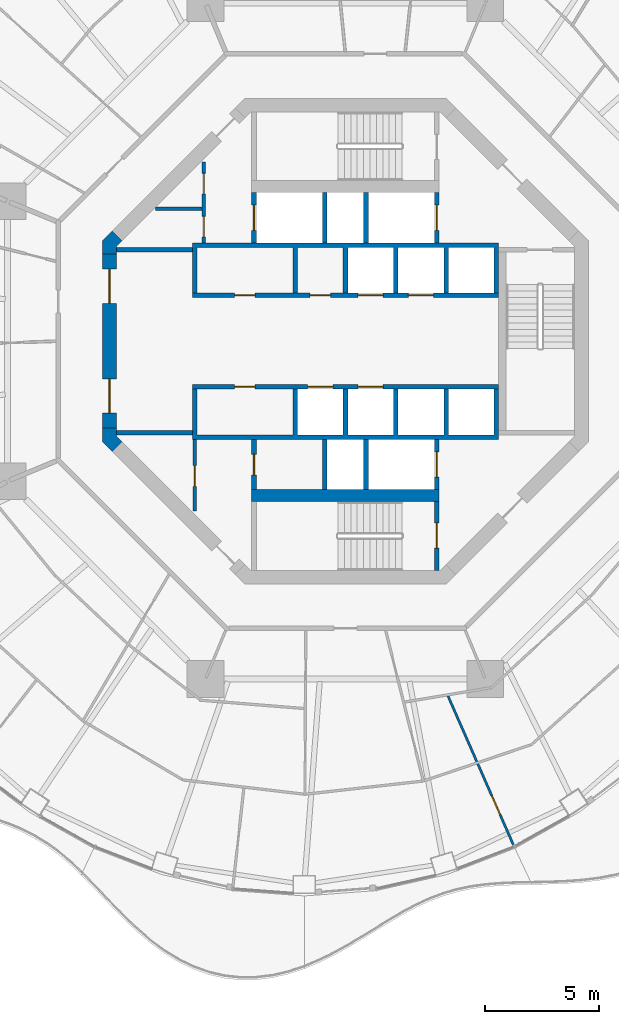
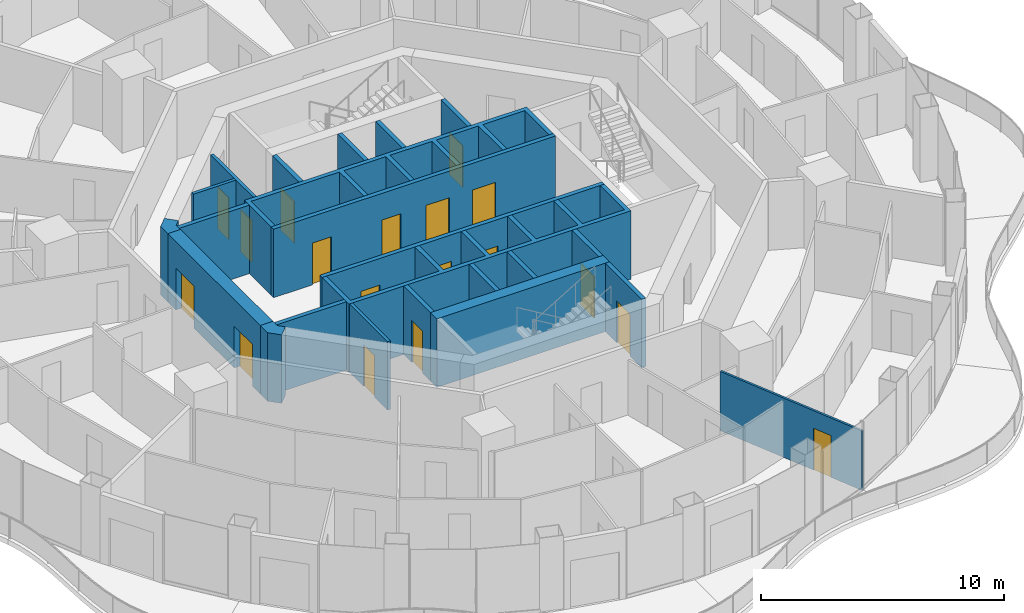
# One storey, part 11 of 18: 23 walls, 18 doors, 18 openings.
"""IFC4 building model written with IfcOpenShell, lengths in metres."""

from ifc_helpers import new_model, si_unit, direction, frame, frame_2d, origin, place, context, subcontext, project, spatial, polyline, rectangle, outline, extrude, material, layer, layer_set, type_object, element, fill, save


model = new_model("IFC4")

# Units and contexts
model_context = context("Model", 3, precision=1e-05, world=origin(), true_north=direction((0.0, 1.0)))
body_context = subcontext(model_context, "Body", "Model", "MODEL_VIEW")
ifc_project = project(units=[si_unit("LENGTHUNIT", "METRE"), si_unit("AREAUNIT", "SQUARE_METRE"), si_unit("VOLUMEUNIT", "CUBIC_METRE"), si_unit("PLANEANGLEUNIT", "RADIAN"), si_unit("MASSUNIT", "GRAM", prefix="KILO")], contexts=[model_context])

# Site, building, storey
site_placement = place(None, origin())
site = spatial("IfcSite", under=ifc_project, at=site_placement, CompositionType="ELEMENT")
building_placement = place(site_placement, origin())
building = spatial("IfcBuilding", under=site, at=building_placement, Name="Nagisa Residences", CompositionType="ELEMENT")
storey_placement = place(building_placement, frame((0.0, 0.0, 227.0)))
storey = spatial("IfcBuildingStorey", under=building, at=storey_placement, Name="L57", CompositionType="ELEMENT", Elevation=227.0)

# Wall, opening, door
ifc_material_1 = material(Name="Gypsum board on steel studs", Category="steel")
ifc_layer_1 = layer(ifc_material_1, 0.10009765625)
ifc_layer_set_1 = layer_set([ifc_layer_1], Name="Apartment partition 100")
wall_type_1 = type_object("IfcWallType", Name="Apartment partition 100", PredefinedType="PARTITIONING", material=ifc_layer_set_1)
wall_1_placement = place(storey_placement, frame((4.4853515625, -15.5224609375, 0.0), z_axis=(0.0, 0.0, 1.0), x_axis=(0.401959715825, -0.915657352318, 0.0)))
wall_1 = element("IfcWall", 1, at=wall_1_placement, inside=storey, type_object=wall_type_1, Name="wall:L57:u79", PredefinedType="PARTITIONING", context=body_context, shape_type="SweptSolid", body=[
    extrude(rectangle(XDim=7.23876953125, YDim=0.10009765625, at=frame_2d((3.619384765625, 0.0))), origin(), (0.0, 0.0, 1.0), 2.98291015625),
])
opening_1_placement = place(wall_1_placement, frame((4.76708984375, 0.0, 0.0)))
opening_1 = element("IfcOpeningElement", 2, at=opening_1_placement, cuts=wall_1, Name="Opening L57-U22", PredefinedType="OPENING", context=body_context, shape_type="SweptSolid", body=[
    extrude(rectangle(XDim=0.89990234375, YDim=2.10009765625, at=frame_2d((0.449951171875, 1.050048828125))), frame((0.0, 0.06005859375, 0.0), z_axis=(0.0, -1.0, 0.0), x_axis=(1.0, 0.0, 0.0)), (0.0, 0.0, 1.0), 0.1201171875),
])
ifc_material_2 = material(Name="Timber door set", Category="wood")
door_type_1 = type_object("IfcDoorType", Name="Apartment door 900x2100", OperationType="NOTDEFINED", PredefinedType="DOOR", material=ifc_material_2)
door_1_placement = place(opening_1_placement, origin())
door_1 = element("IfcDoor", 3, at=door_1_placement, inside=storey, type_object=door_type_1, Name="Door to bedroom, Apartment 57C", OperationType="SINGLE_SWING_RIGHT", OverallHeight=2.10009765625, OverallWidth=0.89990234375, PredefinedType="DOOR", context=body_context, shape_type="SweptSolid", body=[
    extrude(rectangle(XDim=0.89990234375, YDim=2.10009765625, at=frame_2d((0.449951171875, 1.050048828125))), frame((0.0, 0.02490234375, 0.0), z_axis=(0.0, -1.0, 0.0), x_axis=(1.0, 0.0, 0.0)), (0.0, 0.0, 1.0), 0.050048828125),
])
fill(opening_1, door_1)

# Wall, openings, doors
ifc_material_3 = material(Name="Gypsum board on steel studs", Category="steel")
ifc_layer_2 = layer(ifc_material_3, 0.14990234375)
ifc_layer_set_2 = layer_set([ifc_layer_2], Name="Core partition 150")
wall_type_2 = type_object("IfcWallType", Name="Core partition 150", PredefinedType="PARTITIONING", material=ifc_layer_set_2)
wall_2_placement = place(storey_placement, frame((-6.199951171875, 4.300048828125, 0.0), z_axis=(0.0, 0.0, 1.0), x_axis=(0.0, 1.0, 0.0)))
wall_2 = element("IfcWall", 4, at=wall_2_placement, inside=storey, type_object=wall_type_2, Name="wall:L57:NWp", PredefinedType="PARTITIONING", context=body_context, shape_type="SweptSolid", body=[
    extrude(rectangle(XDim=3.52685546875, YDim=0.14990234375, at=frame_2d((1.763427734375, 0.0))), origin(), (0.0, 0.0, 1.0), 3.43994140625),
])
opening_2_placement = place(wall_2_placement, frame((0.262451171875, 0.0, 0.0)))
opening_2 = element("IfcOpeningElement", 5, at=opening_2_placement, cuts=wall_2, Name="Opening L57-C11", PredefinedType="OPENING", context=body_context, shape_type="SweptSolid", body=[
    extrude(rectangle(XDim=0.89990234375, YDim=2.10009765625, at=frame_2d((0.449951171875, 1.050048828125))), frame((0.0, 0.0849609375, 0.0), z_axis=(0.0, -1.0, 0.0), x_axis=(1.0, 0.0, 0.0)), (0.0, 0.0, 1.0), 0.169921875),
])
opening_3_placement = place(wall_2_placement, frame((2.138427734375, 0.0, 0.0)))
opening_3 = element("IfcOpeningElement", 6, at=opening_3_placement, cuts=wall_2, Name="Opening L57-C12", PredefinedType="OPENING", context=body_context, shape_type="SweptSolid", body=[
    extrude(rectangle(XDim=0.89990234375, YDim=2.10009765625, at=frame_2d((0.449951171875, 1.050048828125))), frame((0.0, 0.0849609375, 0.0), z_axis=(0.0, -1.0, 0.0), x_axis=(1.0, 0.0, 0.0)), (0.0, 0.0, 1.0), 0.169921875),
])
ifc_material_4 = material(Name="Steel fire door", Category="steel")
door_type_2 = type_object("IfcDoorType", Name="Fire door EI30 900x2100 single swing", OperationType="NOTDEFINED", PredefinedType="DOOR", material=ifc_material_4)
door_2_placement = place(opening_2_placement, origin())
door_2 = element("IfcDoor", 7, at=door_2_placement, inside=storey, type_object=door_type_2, Name="Package room door L57", OperationType="SINGLE_SWING_LEFT", OverallHeight=2.10009765625, OverallWidth=0.89990234375, PredefinedType="DOOR", context=body_context, shape_type="SweptSolid", body=[
    extrude(rectangle(XDim=0.89990234375, YDim=2.10009765625, at=frame_2d((0.449951171875, 1.050048828125))), frame((0.0, 0.02490234375, 0.0), z_axis=(0.0, -1.0, 0.0), x_axis=(1.0, 0.0, 0.0)), (0.0, 0.0, 1.0), 0.050048828125),
])
fill(opening_2, door_2)
door_3_placement = place(opening_3_placement, origin())
door_3 = element("IfcDoor", 8, at=door_3_placement, inside=storey, type_object=door_type_2, Name="Valet store door L57", OperationType="SINGLE_SWING_LEFT", OverallHeight=2.10009765625, OverallWidth=0.89990234375, PredefinedType="DOOR", context=body_context, shape_type="SweptSolid", body=[
    extrude(rectangle(XDim=0.89990234375, YDim=2.10009765625, at=frame_2d((0.449951171875, 1.050048828125))), frame((0.0, 0.02490234375, 0.0), z_axis=(0.0, -1.0, 0.0), x_axis=(1.0, 0.0, 0.0)), (0.0, 0.0, 1.0), 0.050048828125),
])
fill(opening_3, door_3)

# Wall, opening, door
wall_3_placement = place(storey_placement, frame((-6.60009765625, -7.427001953125, 0.0), z_axis=(0.0, 0.0, 1.0), x_axis=(0.0, 1.0, 0.0)))
wall_3 = element("IfcWall", 9, at=wall_3_placement, inside=storey, type_object=wall_type_2, Name="wall:L57:SWp", PredefinedType="PARTITIONING", context=body_context, shape_type="SweptSolid", body=[
    extrude(rectangle(XDim=3.126953125, YDim=0.14990234375, at=frame_2d((1.5634765625, 0.0))), origin(), (0.0, 0.0, 1.0), 3.43994140625),
])
opening_4_placement = place(wall_3_placement, frame((1.075927734375, 0.0, 0.0)))
opening_4 = element("IfcOpeningElement", 10, at=opening_4_placement, cuts=wall_3, Name="Opening L57-C13", PredefinedType="OPENING", context=body_context, shape_type="SweptSolid", body=[
    extrude(rectangle(XDim=0.89990234375, YDim=2.10009765625, at=frame_2d((0.449951171875, 1.050048828125))), frame((0.0, 0.0849609375, 0.0), z_axis=(0.0, -1.0, 0.0), x_axis=(1.0, 0.0, 0.0)), (0.0, 0.0, 1.0), 0.169921875),
])
door_4_placement = place(opening_4_placement, origin())
door_4 = element("IfcDoor", 11, at=door_4_placement, inside=storey, type_object=door_type_2, Name="Janitor door L57", OperationType="SINGLE_SWING_LEFT", OverallHeight=2.10009765625, OverallWidth=0.89990234375, PredefinedType="DOOR", context=body_context, shape_type="SweptSolid", body=[
    extrude(rectangle(XDim=0.89990234375, YDim=2.10009765625, at=frame_2d((0.449951171875, 1.050048828125))), frame((0.0, 0.02490234375, 0.0), z_axis=(0.0, -1.0, 0.0), x_axis=(1.0, 0.0, 0.0)), (0.0, 0.0, 1.0), 0.050048828125),
])
fill(opening_4, door_4)

# Walls
wall_4_placement = place(storey_placement, frame((-8.301025390625, 5.800048828125, 0.0), z_axis=(0.0, 0.0, 1.0), x_axis=(1.0, 0.0, 0.0)))
element("IfcWall", 12, at=wall_4_placement, inside=storey, type_object=wall_type_2, Name="wall:L57:NWq", PredefinedType="PARTITIONING", context=body_context, shape_type="SweptSolid", body=[
    extrude(rectangle(XDim=2.026123046875, YDim=0.14990234375, at=frame_2d((1.01318359375, 0.0))), origin(), (0.0, 0.0, 1.0), 3.43994140625),
])
ifc_material_5 = material(Name="Gypsum board on steel studs", Category="steel")
ifc_layer_3 = layer(ifc_material_5, 0.199951171875)
ifc_layer_set_3 = layer_set([ifc_layer_3], Name="Core partition 200")
wall_type_3 = type_object("IfcWallType", Name="Core partition 200", PredefinedType="PARTITIONING", material=ifc_layer_set_3)
for number, where, z_axis, x_axis, name in (
    (13, (-10.024658203125, -4.0, 0.0), (0.0, 0.0, 1.0), (1.0, 0.0, 0.0), "wall:L57:PSW"),
    (14, (-10.024658203125, 4.0, 0.0), (0.0, 0.0, 1.0), (1.0, 0.0, 0.0), "wall:L57:PNW"),
):
    element("IfcWall", number, at=place(storey_placement, frame(where, z_axis=z_axis, x_axis=x_axis)), inside=storey, type_object=wall_type_3, Name=name, PredefinedType="PARTITIONING", context=body_context, shape_type="SweptSolid", body=[
        extrude(rectangle(XDim=3.32470703125, YDim=0.199951171875, at=frame_2d((1.662353515625, 0.0))), origin(), (0.0, 0.0, 1.0), 3.43994140625),
    ])

# Wall, openings, doors
ifc_material_6 = material(Name="Concrete C60", Category="concrete")
ifc_layer_4 = layer(ifc_material_6, 0.60009765625)
ifc_layer_set_4 = layer_set([ifc_layer_4], Name="Core shear wall 600")
wall_type_4 = type_object("IfcWallType", Name="Core shear wall 600", PredefinedType="SHEAR", material=ifc_layer_set_4)
wall_5_placement = place(storey_placement, frame((-10.32470703125, 3.80078125, 0.0), z_axis=(0.0, 0.0, 1.0), x_axis=(0.0, -1.0, 0.0)))
wall_5 = element("IfcWall", 15, at=wall_5_placement, inside=storey, type_object=wall_type_4, Name="wall:L57:core:flat4", PredefinedType="SHEAR", context=body_context, shape_type="SweptSolid", body=[
    extrude(rectangle(XDim=7.6015625, YDim=0.60009765625, at=frame_2d((3.80078125, 0.0))), origin(), (0.0, 0.0, 1.0), 3.43994140625),
])
opening_5_placement = place(wall_5_placement, frame((0.65087890625, 0.0, 0.0)))
opening_5 = element("IfcOpeningElement", 16, at=opening_5_placement, cuts=wall_5, Name="Opening L57-C20", PredefinedType="OPENING", context=body_context, shape_type="SweptSolid", body=[
    extrude(rectangle(XDim=1.5, YDim=2.10009765625, at=frame_2d((0.75, 1.050048828125))), frame((0.0, 0.31005859375, 0.0), z_axis=(0.0, -1.0, 0.0), x_axis=(1.0, 0.0, 0.0)), (0.0, 0.0, 1.0), 0.6201171875),
])
opening_6_placement = place(wall_5_placement, frame((5.450927734375, 0.0, 0.0)))
opening_6 = element("IfcOpeningElement", 17, at=opening_6_placement, cuts=wall_5, Name="Opening L57-C21", PredefinedType="OPENING", context=body_context, shape_type="SweptSolid", body=[
    extrude(rectangle(XDim=1.5, YDim=2.10009765625, at=frame_2d((0.75, 1.050048828125))), frame((0.0, 0.31005859375, 0.0), z_axis=(0.0, -1.0, 0.0), x_axis=(1.0, 0.0, 0.0)), (0.0, 0.0, 1.0), 0.6201171875),
])
ifc_material_7 = material(Name="Steel fire door", Category="steel")
door_type_3 = type_object("IfcDoorType", Name="Fire door EI60 1500x2100 double door single swing", OperationType="DOUBLE_DOOR_SINGLE_SWING", PredefinedType="DOOR", material=ifc_material_7)
door_5_placement = place(opening_5_placement, origin())
door_5 = element("IfcDoor", 18, at=door_5_placement, inside=storey, type_object=door_type_3, Name="Lift lobby door L57 1", OperationType="DOUBLE_DOOR_SINGLE_SWING", OverallHeight=2.10009765625, OverallWidth=1.5, PredefinedType="DOOR", context=body_context, shape_type="SweptSolid", body=[
    extrude(rectangle(XDim=1.5, YDim=2.10009765625, at=frame_2d((0.75, 1.050048828125))), frame((0.0, 0.02490234375, 0.0), z_axis=(0.0, -1.0, 0.0), x_axis=(1.0, 0.0, 0.0)), (0.0, 0.0, 1.0), 0.050048828125),
])
fill(opening_5, door_5)
door_6_placement = place(opening_6_placement, origin())
door_6 = element("IfcDoor", 19, at=door_6_placement, inside=storey, type_object=door_type_3, Name="Lift lobby door L57 2", OperationType="DOUBLE_DOOR_SINGLE_SWING", OverallHeight=2.10009765625, OverallWidth=1.5, PredefinedType="DOOR", context=body_context, shape_type="SweptSolid", body=[
    extrude(rectangle(XDim=1.5, YDim=2.10009765625, at=frame_2d((0.75, 1.050048828125))), frame((0.0, 0.02490234375, 0.0), z_axis=(0.0, -1.0, 0.0), x_axis=(1.0, 0.0, 0.0)), (0.0, 0.0, 1.0), 0.050048828125),
])
fill(opening_6, door_6)

# Walls
wall_6_placement = place(storey_placement, origin())
element("IfcWall", 20, at=wall_6_placement, inside=storey, type_object=wall_type_4, Name="wall:L57:core:pier4", PredefinedType="SHEAR", context=body_context, shape_type="SweptSolid", body=[
    extrude(outline(polyline([(-10.62451171875, -3.80078125), (-10.024658203125, -3.80078125), (-10.024658203125, -4.15234375), (-9.776123046875, -4.40087890625), (-10.200439453125, -4.8251953125), (-10.62451171875, -4.40087890625), (-10.62451171875, -3.80078125)])), origin(), (0.0, 0.0, 1.0), 3.43994140625),
])
wall_7_placement = place(storey_placement, origin())
element("IfcWall", 21, at=wall_7_placement, inside=storey, type_object=wall_type_4, Name="wall:L57:core:pier3", PredefinedType="SHEAR", context=body_context, shape_type="SweptSolid", body=[
    extrude(outline(polyline([(-10.200439453125, 4.8251953125), (-9.776123046875, 4.40087890625), (-10.024658203125, 4.15234375), (-10.024658203125, 3.80078125), (-10.62451171875, 3.80078125), (-10.62451171875, 4.40087890625), (-10.200439453125, 4.8251953125)])), origin(), (0.0, 0.0, 1.0), 3.43994140625),
])

# Wall, opening, door
ifc_material_8 = material(Name="Concrete C60", Category="concrete")
ifc_layer_5 = layer(ifc_material_8, 0.199951171875)
ifc_layer_set_5 = layer_set([ifc_layer_5], Name="Lift shaft wall 200")
wall_type_5 = type_object("IfcWallType", Name="Lift shaft wall 200", PredefinedType="SOLIDWALL", material=ifc_layer_set_5)
wall_8_placement = place(storey_placement, frame((4.0, 4.300048828125, 0.0), z_axis=(0.0, 0.0, 1.0), x_axis=(0.0, 1.0, 0.0)))
wall_8 = element("IfcWall", 22, at=wall_8_placement, inside=storey, type_object=wall_type_5, Name="wall:L57:Nb3", PredefinedType="SOLIDWALL", context=body_context, shape_type="SweptSolid", body=[
    extrude(rectangle(XDim=2.199951171875, YDim=0.199951171875, at=frame_2d((1.10009765625, 0.0))), origin(), (0.0, 0.0, 1.0), 3.43994140625),
])
opening_7_placement = place(wall_8_placement, frame((0.550048828125, 0.0, 0.0)))
opening_7 = element("IfcOpeningElement", 23, at=opening_7_placement, cuts=wall_8, Name="Opening L57-C05", PredefinedType="OPENING", context=body_context, shape_type="SweptSolid", body=[
    extrude(rectangle(XDim=1.10009765625, YDim=2.10009765625, at=frame_2d((0.550048828125, 1.050048828125))), frame((0.0, 0.10986328125, 0.0), z_axis=(0.0, -1.0, 0.0), x_axis=(1.0, 0.0, 0.0)), (0.0, 0.0, 1.0), 0.219970703125),
])
ifc_material_9 = material(Name="Stainless steel", Category="steel")
door_type_4 = type_object("IfcDoorType", Name="Lift landing door 1100x2100", OperationType="DOUBLE_DOOR_SLIDING", PredefinedType="DOOR", material=ifc_material_9)
door_7_placement = place(opening_7_placement, origin())
door_7 = element("IfcDoor", 24, at=door_7_placement, inside=storey, type_object=door_type_4, Name="Landing door FL1 L57", OperationType="DOUBLE_DOOR_SLIDING", OverallHeight=2.10009765625, OverallWidth=1.10009765625, PredefinedType="DOOR", context=body_context, shape_type="SweptSolid", body=[
    extrude(rectangle(XDim=1.10009765625, YDim=2.10009765625, at=frame_2d((0.550048828125, 1.050048828125))), frame((0.0, 0.02490234375, 0.0), z_axis=(0.0, -1.0, 0.0), x_axis=(1.0, 0.0, 0.0)), (0.0, 0.0, 1.0), 0.050048828125),
])
fill(opening_7, door_7)

wall_9_placement = place(storey_placement, frame((-4.0, 4.300048828125, 0.0), z_axis=(0.0, 0.0, 1.0), x_axis=(0.0, 1.0, 0.0)))
wall_9 = element("IfcWall", 25, at=wall_9_placement, inside=storey, type_object=wall_type_5, Name="wall:L57:Nb4", PredefinedType="SOLIDWALL", context=body_context, shape_type="SweptSolid", body=[
    extrude(rectangle(XDim=2.199951171875, YDim=0.199951171875, at=frame_2d((1.10009765625, 0.0))), origin(), (0.0, 0.0, 1.0), 3.43994140625),
])
opening_8_placement = place(wall_9_placement, frame((0.550048828125, 0.0, 0.0)))
opening_8 = element("IfcOpeningElement", 26, at=opening_8_placement, cuts=wall_9, Name="Opening L57-C07", PredefinedType="OPENING", context=body_context, shape_type="SweptSolid", body=[
    extrude(rectangle(XDim=1.10009765625, YDim=2.10009765625, at=frame_2d((0.550048828125, 1.050048828125))), frame((0.0, 0.10986328125, 0.0), z_axis=(0.0, -1.0, 0.0), x_axis=(1.0, 0.0, 0.0)), (0.0, 0.0, 1.0), 0.219970703125),
])
door_8_placement = place(opening_8_placement, origin())
door_8 = element("IfcDoor", 27, at=door_8_placement, inside=storey, type_object=door_type_4, Name="Landing door SV L57", OperationType="DOUBLE_DOOR_SLIDING", OverallHeight=2.10009765625, OverallWidth=1.10009765625, PredefinedType="DOOR", context=body_context, shape_type="SweptSolid", body=[
    extrude(rectangle(XDim=1.10009765625, YDim=2.10009765625, at=frame_2d((0.550048828125, 1.050048828125))), frame((0.0, 0.02490234375, 0.0), z_axis=(0.0, -1.0, 0.0), x_axis=(1.0, 0.0, 0.0)), (0.0, 0.0, 1.0), 0.050048828125),
])
fill(opening_8, door_8)

# Wall, openings, doors
wall_10_placement = place(storey_placement, frame((-6.699951171875, 2.0, 0.0), z_axis=(0.0, 0.0, 1.0), x_axis=(1.0, 0.0, 0.0)))
wall_10 = element("IfcWall", 28, at=wall_10_placement, inside=storey, type_object=wall_type_5, Name="wall:L57:Nfront", PredefinedType="SOLIDWALL", context=body_context, shape_type="SweptSolid", body=[
    extrude(rectangle(XDim=13.39990234375, YDim=0.199951171875, at=frame_2d((6.699951171875, 0.0))), origin(), (0.0, 0.0, 1.0), 3.43994140625),
])
opening_9_placement = place(wall_10_placement, frame((7.25, 0.0, 0.0)))
opening_9 = element("IfcOpeningElement", 29, at=opening_9_placement, cuts=wall_10, Name="Opening L57-C01", PredefinedType="OPENING", context=body_context, shape_type="SweptSolid", body=[
    extrude(rectangle(XDim=1.10009765625, YDim=2.10009765625, at=frame_2d((0.550048828125, 1.050048828125))), frame((0.0, 0.10986328125, 0.0), z_axis=(0.0, -1.0, 0.0), x_axis=(1.0, 0.0, 0.0)), (0.0, 0.0, 1.0), 0.219970703125),
])
opening_10_placement = place(wall_10_placement, frame((9.449951171875, 0.0, 0.0)))
opening_10 = element("IfcOpeningElement", 30, at=opening_10_placement, cuts=wall_10, Name="Opening L57-C02", PredefinedType="OPENING", context=body_context, shape_type="SweptSolid", body=[
    extrude(rectangle(XDim=1.10009765625, YDim=2.10009765625, at=frame_2d((0.550048828125, 1.050048828125))), frame((0.0, 0.10986328125, 0.0), z_axis=(0.0, -1.0, 0.0), x_axis=(1.0, 0.0, 0.0)), (0.0, 0.0, 1.0), 0.219970703125),
])
opening_11_placement = place(wall_10_placement, frame((1.85009765625, 0.0, 0.0)))
opening_11 = element("IfcOpeningElement", 31, at=opening_11_placement, cuts=wall_10, Name="Opening L57-C15", PredefinedType="OPENING", context=body_context, shape_type="SweptSolid", body=[
    extrude(rectangle(XDim=0.89990234375, YDim=2.10009765625, at=frame_2d((0.449951171875, 1.050048828125))), frame((0.0, 0.10986328125, 0.0), z_axis=(0.0, -1.0, 0.0), x_axis=(1.0, 0.0, 0.0)), (0.0, 0.0, 1.0), 0.219970703125),
])
opening_12_placement = place(wall_10_placement, frame((5.14990234375, 0.0, 0.0)))
opening_12 = element("IfcOpeningElement", 32, at=opening_12_placement, cuts=wall_10, Name="Opening L57-C16", PredefinedType="OPENING", context=body_context, shape_type="SweptSolid", body=[
    extrude(rectangle(XDim=0.89990234375, YDim=2.10009765625, at=frame_2d((0.449951171875, 1.050048828125))), frame((0.0, 0.10986328125, 0.0), z_axis=(0.0, -1.0, 0.0), x_axis=(1.0, 0.0, 0.0)), (0.0, 0.0, 1.0), 0.219970703125),
])
door_9_placement = place(opening_11_placement, origin())
door_9 = element("IfcDoor", 33, at=door_9_placement, inside=storey, type_object=door_type_2, Name="Tea preparation door L57", OperationType="SINGLE_SWING_RIGHT", OverallHeight=2.10009765625, OverallWidth=0.89990234375, PredefinedType="DOOR", context=body_context, shape_type="SweptSolid", body=[
    extrude(rectangle(XDim=0.89990234375, YDim=2.10009765625, at=frame_2d((0.449951171875, 1.050048828125))), frame((0.0, 0.02490234375, 0.0), z_axis=(0.0, -1.0, 0.0), x_axis=(1.0, 0.0, 0.0)), (0.0, 0.0, 1.0), 0.050048828125),
])
fill(opening_11, door_9)
door_10_placement = place(opening_12_placement, origin())
door_10 = element("IfcDoor", 34, at=door_10_placement, inside=storey, type_object=door_type_2, Name="Housekeeping store door L57", OperationType="SINGLE_SWING_RIGHT", OverallHeight=2.10009765625, OverallWidth=0.89990234375, PredefinedType="DOOR", context=body_context, shape_type="SweptSolid", body=[
    extrude(rectangle(XDim=0.89990234375, YDim=2.10009765625, at=frame_2d((0.449951171875, 1.050048828125))), frame((0.0, 0.02490234375, 0.0), z_axis=(0.0, -1.0, 0.0), x_axis=(1.0, 0.0, 0.0)), (0.0, 0.0, 1.0), 0.050048828125),
])
fill(opening_12, door_10)
door_11_placement = place(opening_9_placement, origin())
door_11 = element("IfcDoor", 35, at=door_11_placement, inside=storey, type_object=door_type_4, Name="Landing door B1 L57", OperationType="DOUBLE_DOOR_SLIDING", OverallHeight=2.10009765625, OverallWidth=1.10009765625, PredefinedType="DOOR", context=body_context, shape_type="SweptSolid", body=[
    extrude(rectangle(XDim=1.10009765625, YDim=2.10009765625, at=frame_2d((0.550048828125, 1.050048828125))), frame((0.0, 0.02490234375, 0.0), z_axis=(0.0, -1.0, 0.0), x_axis=(1.0, 0.0, 0.0)), (0.0, 0.0, 1.0), 0.050048828125),
])
fill(opening_9, door_11)
door_12_placement = place(opening_10_placement, origin())
door_12 = element("IfcDoor", 36, at=door_12_placement, inside=storey, type_object=door_type_4, Name="Landing door B2 L57", OperationType="DOUBLE_DOOR_SLIDING", OverallHeight=2.10009765625, OverallWidth=1.10009765625, PredefinedType="DOOR", context=body_context, shape_type="SweptSolid", body=[
    extrude(rectangle(XDim=1.10009765625, YDim=2.10009765625, at=frame_2d((0.550048828125, 1.050048828125))), frame((0.0, 0.02490234375, 0.0), z_axis=(0.0, -1.0, 0.0), x_axis=(1.0, 0.0, 0.0)), (0.0, 0.0, 1.0), 0.050048828125),
])
fill(opening_10, door_12)

# Wall, opening, door
wall_11_placement = place(storey_placement, frame((4.0, -6.5, 0.0), z_axis=(0.0, 0.0, 1.0), x_axis=(0.0, 1.0, 0.0)))
wall_11 = element("IfcWall", 37, at=wall_11_placement, inside=storey, type_object=wall_type_5, Name="wall:L57:Sb3", PredefinedType="SOLIDWALL", context=body_context, shape_type="SweptSolid", body=[
    extrude(rectangle(XDim=2.199951171875, YDim=0.199951171875, at=frame_2d((1.10009765625, 0.0))), origin(), (0.0, 0.0, 1.0), 3.43994140625),
])
opening_13_placement = place(wall_11_placement, frame((0.550048828125, 0.0, 0.0)))
opening_13 = element("IfcOpeningElement", 38, at=opening_13_placement, cuts=wall_11, Name="Opening L57-C06", PredefinedType="OPENING", context=body_context, shape_type="SweptSolid", body=[
    extrude(rectangle(XDim=1.10009765625, YDim=2.10009765625, at=frame_2d((0.550048828125, 1.050048828125))), frame((0.0, 0.10986328125, 0.0), z_axis=(0.0, -1.0, 0.0), x_axis=(1.0, 0.0, 0.0)), (0.0, 0.0, 1.0), 0.219970703125),
])
door_13_placement = place(opening_13_placement, origin())
door_13 = element("IfcDoor", 39, at=door_13_placement, inside=storey, type_object=door_type_4, Name="Landing door FL2 L57", OperationType="DOUBLE_DOOR_SLIDING", OverallHeight=2.10009765625, OverallWidth=1.10009765625, PredefinedType="DOOR", context=body_context, shape_type="SweptSolid", body=[
    extrude(rectangle(XDim=1.10009765625, YDim=2.10009765625, at=frame_2d((0.550048828125, 1.050048828125))), frame((0.0, 0.02490234375, 0.0), z_axis=(0.0, -1.0, 0.0), x_axis=(1.0, 0.0, 0.0)), (0.0, 0.0, 1.0), 0.050048828125),
])
fill(opening_13, door_13)

wall_12_placement = place(storey_placement, frame((-4.0, -6.5, 0.0), z_axis=(0.0, 0.0, 1.0), x_axis=(0.0, 1.0, 0.0)))
wall_12 = element("IfcWall", 40, at=wall_12_placement, inside=storey, type_object=wall_type_5, Name="wall:L57:Sb4", PredefinedType="SOLIDWALL", context=body_context, shape_type="SweptSolid", body=[
    extrude(rectangle(XDim=2.199951171875, YDim=0.199951171875, at=frame_2d((1.10009765625, 0.0))), origin(), (0.0, 0.0, 1.0), 3.43994140625),
])
opening_14_placement = place(wall_12_placement, frame((0.64990234375, 0.0, 0.0)))
opening_14 = element("IfcOpeningElement", 41, at=opening_14_placement, cuts=wall_12, Name="Opening L57-C14", PredefinedType="OPENING", context=body_context, shape_type="SweptSolid", body=[
    extrude(rectangle(XDim=0.89990234375, YDim=2.10009765625, at=frame_2d((0.449951171875, 1.050048828125))), frame((0.0, 0.10986328125, 0.0), z_axis=(0.0, -1.0, 0.0), x_axis=(1.0, 0.0, 0.0)), (0.0, 0.0, 1.0), 0.219970703125),
])
door_14_placement = place(opening_14_placement, frame((0.89990234375, 0.0, 0.0), x_axis=(-1.0, 0.0, 0.0)))
door_14 = element("IfcDoor", 42, at=door_14_placement, inside=storey, type_object=door_type_2, Name="Refuse room door L57", OperationType="SINGLE_SWING_LEFT", OverallHeight=2.10009765625, OverallWidth=0.89990234375, PredefinedType="DOOR", context=body_context, shape_type="SweptSolid", body=[
    extrude(rectangle(XDim=0.89990234375, YDim=2.10009765625, at=frame_2d((0.449951171875, 1.050048828125))), frame((0.0, 0.02490234375, 0.0), z_axis=(0.0, -1.0, 0.0), x_axis=(1.0, 0.0, 0.0)), (0.0, 0.0, 1.0), 0.050048828125),
])
fill(opening_14, door_14)

# Wall, openings, doors
wall_13_placement = place(storey_placement, frame((-6.699951171875, -2.0, 0.0), z_axis=(0.0, 0.0, 1.0), x_axis=(1.0, 0.0, 0.0)))
wall_13 = element("IfcWall", 43, at=wall_13_placement, inside=storey, type_object=wall_type_5, Name="wall:L57:Sfront", PredefinedType="SOLIDWALL", context=body_context, shape_type="SweptSolid", body=[
    extrude(rectangle(XDim=13.39990234375, YDim=0.199951171875, at=frame_2d((6.699951171875, 0.0))), origin(), (0.0, 0.0, 1.0), 3.43994140625),
])
opening_15_placement = place(wall_13_placement, frame((5.050048828125, 0.0, 0.0)))
opening_15 = element("IfcOpeningElement", 44, at=opening_15_placement, cuts=wall_13, Name="Opening L57-C03", PredefinedType="OPENING", context=body_context, shape_type="SweptSolid", body=[
    extrude(rectangle(XDim=1.10009765625, YDim=2.10009765625, at=frame_2d((0.550048828125, 1.050048828125))), frame((0.0, 0.10986328125, 0.0), z_axis=(0.0, -1.0, 0.0), x_axis=(1.0, 0.0, 0.0)), (0.0, 0.0, 1.0), 0.219970703125),
])
opening_16_placement = place(wall_13_placement, frame((7.25, 0.0, 0.0)))
opening_16 = element("IfcOpeningElement", 45, at=opening_16_placement, cuts=wall_13, Name="Opening L57-C04", PredefinedType="OPENING", context=body_context, shape_type="SweptSolid", body=[
    extrude(rectangle(XDim=1.10009765625, YDim=2.10009765625, at=frame_2d((0.550048828125, 1.050048828125))), frame((0.0, 0.10986328125, 0.0), z_axis=(0.0, -1.0, 0.0), x_axis=(1.0, 0.0, 0.0)), (0.0, 0.0, 1.0), 0.219970703125),
])
opening_17_placement = place(wall_13_placement, frame((1.85009765625, 0.0, 0.0)))
opening_17 = element("IfcOpeningElement", 46, at=opening_17_placement, cuts=wall_13, Name="Opening L57-C17", PredefinedType="OPENING", context=body_context, shape_type="SweptSolid", body=[
    extrude(rectangle(XDim=0.89990234375, YDim=2.10009765625, at=frame_2d((0.449951171875, 1.050048828125))), frame((0.0, 0.10986328125, 0.0), z_axis=(0.0, -1.0, 0.0), x_axis=(1.0, 0.0, 0.0)), (0.0, 0.0, 1.0), 0.219970703125),
])
door_15_placement = place(opening_17_placement, frame((0.89990234375, 0.0, 0.0), x_axis=(-1.0, 0.0, 0.0)))
door_15 = element("IfcDoor", 47, at=door_15_placement, inside=storey, type_object=door_type_2, Name="Owner storage door L57", OperationType="SINGLE_SWING_LEFT", OverallHeight=2.10009765625, OverallWidth=0.89990234375, PredefinedType="DOOR", context=body_context, shape_type="SweptSolid", body=[
    extrude(rectangle(XDim=0.89990234375, YDim=2.10009765625, at=frame_2d((0.449951171875, 1.050048828125))), frame((0.0, 0.02490234375, 0.0), z_axis=(0.0, -1.0, 0.0), x_axis=(1.0, 0.0, 0.0)), (0.0, 0.0, 1.0), 0.050048828125),
])
fill(opening_17, door_15)
door_16_placement = place(opening_15_placement, origin())
door_16 = element("IfcDoor", 48, at=door_16_placement, inside=storey, type_object=door_type_4, Name="Landing door B3 L57", OperationType="DOUBLE_DOOR_SLIDING", OverallHeight=2.10009765625, OverallWidth=1.10009765625, PredefinedType="DOOR", context=body_context, shape_type="SweptSolid", body=[
    extrude(rectangle(XDim=1.10009765625, YDim=2.10009765625, at=frame_2d((0.550048828125, 1.050048828125))), frame((0.0, 0.02490234375, 0.0), z_axis=(0.0, -1.0, 0.0), x_axis=(1.0, 0.0, 0.0)), (0.0, 0.0, 1.0), 0.050048828125),
])
fill(opening_15, door_16)
door_17_placement = place(opening_16_placement, origin())
door_17 = element("IfcDoor", 49, at=door_17_placement, inside=storey, type_object=door_type_4, Name="Landing door B4 L57", OperationType="DOUBLE_DOOR_SLIDING", OverallHeight=2.10009765625, OverallWidth=1.10009765625, PredefinedType="DOOR", context=body_context, shape_type="SweptSolid", body=[
    extrude(rectangle(XDim=1.10009765625, YDim=2.10009765625, at=frame_2d((0.550048828125, 1.050048828125))), frame((0.0, 0.02490234375, 0.0), z_axis=(0.0, -1.0, 0.0), x_axis=(1.0, 0.0, 0.0)), (0.0, 0.0, 1.0), 0.050048828125),
])
fill(opening_16, door_17)

# Walls
for number, where, z_axis, x_axis, name in (
    (50, (-0.89990234375, -6.5, 0.0), (0.0, 0.0, 1.0), (0.0, 1.0, 0.0), "wall:L57:Sb1"),
    (51, (0.89990234375, -6.5, 0.0), (0.0, 0.0, 1.0), (0.0, 1.0, 0.0), "wall:L57:Sb2"),
):
    element("IfcWall", number, at=place(storey_placement, frame(where, z_axis=z_axis, x_axis=x_axis)), inside=storey, type_object=wall_type_5, Name=name, PredefinedType="SOLIDWALL", context=body_context, shape_type="SweptSolid", body=[
        extrude(rectangle(XDim=2.199951171875, YDim=0.199951171875, at=frame_2d((1.10009765625, 0.0))), origin(), (0.0, 0.0, 1.0), 3.43994140625),
    ])
wall_14_placement = place(storey_placement, origin())
element("IfcWall", 52, at=wall_14_placement, inside=storey, type_object=wall_type_5, Name="wall:L57:Sback", PredefinedType="SOLIDWALL", context=body_context, shape_type="SweptSolid", body=[
    extrude(outline(polyline([(-6.699951171875, -2.10009765625), (-6.5, -2.10009765625), (-6.5, -4.10009765625), (-2.300048828125, -4.10009765625), (-2.300048828125, -2.10009765625), (-2.10009765625, -2.10009765625), (-2.10009765625, -4.10009765625), (-0.10009765625, -4.10009765625), (-0.10009765625, -2.10009765625), (0.10009765625, -2.10009765625), (0.10009765625, -4.10009765625), (2.10009765625, -4.10009765625), (2.10009765625, -2.10009765625), (2.300048828125, -2.10009765625), (2.300048828125, -4.10009765625), (4.300048828125, -4.10009765625), (4.300048828125, -2.10009765625), (4.5, -2.10009765625), (4.5, -4.10009765625), (6.5, -4.10009765625), (6.5, -2.10009765625), (6.699951171875, -2.10009765625), (6.699951171875, -4.300048828125), (-6.699951171875, -4.300048828125), (-6.699951171875, -2.10009765625)])), origin(), (0.0, 0.0, 1.0), 3.43994140625),
])
for number, where, z_axis, x_axis, name in (
    (53, (-0.89990234375, 4.300048828125, 0.0), (0.0, 0.0, 1.0), (0.0, 1.0, 0.0), "wall:L57:Nb1"),
    (54, (0.89990234375, 4.300048828125, 0.0), (0.0, 0.0, 1.0), (0.0, 1.0, 0.0), "wall:L57:Nb2"),
):
    element("IfcWall", number, at=place(storey_placement, frame(where, z_axis=z_axis, x_axis=x_axis)), inside=storey, type_object=wall_type_5, Name=name, PredefinedType="SOLIDWALL", context=body_context, shape_type="SweptSolid", body=[
        extrude(rectangle(XDim=2.199951171875, YDim=0.199951171875, at=frame_2d((1.10009765625, 0.0))), origin(), (0.0, 0.0, 1.0), 3.43994140625),
    ])
wall_15_placement = place(storey_placement, origin())
element("IfcWall", 55, at=wall_15_placement, inside=storey, type_object=wall_type_5, Name="wall:L57:Nback", PredefinedType="SOLIDWALL", context=body_context, shape_type="SweptSolid", body=[
    extrude(outline(polyline([(-6.699951171875, 4.300048828125), (6.699951171875, 4.300048828125), (6.699951171875, 2.10009765625), (6.5, 2.10009765625), (6.5, 4.10009765625), (4.5, 4.10009765625), (4.5, 2.10009765625), (4.300048828125, 2.10009765625), (4.300048828125, 4.10009765625), (2.300048828125, 4.10009765625), (2.300048828125, 2.10009765625), (2.10009765625, 2.10009765625), (2.10009765625, 4.10009765625), (0.10009765625, 4.10009765625), (0.10009765625, 2.10009765625), (-0.10009765625, 2.10009765625), (-0.10009765625, 4.10009765625), (-2.10009765625, 4.10009765625), (-2.10009765625, 2.10009765625), (-2.300048828125, 2.10009765625), (-2.300048828125, 4.10009765625), (-6.5, 4.10009765625), (-6.5, 2.10009765625), (-6.699951171875, 2.10009765625), (-6.699951171875, 4.300048828125)])), origin(), (0.0, 0.0, 1.0), 3.43994140625),
])

# Wall, opening, door
ifc_material_10 = material(Name="Concrete C60", Category="concrete")
ifc_layer_6 = layer(ifc_material_10, 0.199951171875)
ifc_layer_set_6 = layer_set([ifc_layer_6], Name="Stair enclosure wall 200")
wall_type_6 = type_object("IfcWallType", Name="Stair enclosure wall 200", PredefinedType="SOLIDWALL", material=ifc_layer_set_6)
wall_16_placement = place(storey_placement, frame((4.0, -10.024658203125, 0.0), z_axis=(0.0, 0.0, 1.0), x_axis=(0.0, 1.0, 0.0)))
wall_16 = element("IfcWall", 56, at=wall_16_placement, inside=storey, type_object=wall_type_6, Name="wall:L57:SS_e", PredefinedType="SOLIDWALL", context=body_context, shape_type="SweptSolid", body=[
    extrude(rectangle(XDim=3.0, YDim=0.199951171875, at=frame_2d((1.5, 0.0))), origin(), (0.0, 0.0, 1.0), 3.43994140625),
])
opening_18_placement = place(wall_16_placement, frame((0.974609375, 0.0, 0.0)))
opening_18 = element("IfcOpeningElement", 57, at=opening_18_placement, cuts=wall_16, Name="Opening L57-C10", PredefinedType="OPENING", context=body_context, shape_type="SweptSolid", body=[
    extrude(rectangle(XDim=1.10009765625, YDim=2.10009765625, at=frame_2d((0.550048828125, 1.050048828125))), frame((0.0, 0.10986328125, 0.0), z_axis=(0.0, -1.0, 0.0), x_axis=(1.0, 0.0, 0.0)), (0.0, 0.0, 1.0), 0.219970703125),
])
ifc_material_11 = material(Name="Steel fire door", Category="steel")
door_type_5 = type_object("IfcDoorType", Name="Fire door EI90 1100x2100 single swing", OperationType="NOTDEFINED", PredefinedType="DOOR", material=ifc_material_11)
door_18_placement = place(opening_18_placement, origin())
door_18 = element("IfcDoor", 58, at=door_18_placement, inside=storey, type_object=door_type_5, Name="Stair door ST-S L57", OperationType="SINGLE_SWING_LEFT", OverallHeight=2.10009765625, OverallWidth=1.10009765625, PredefinedType="DOOR", context=body_context, shape_type="SweptSolid", body=[
    extrude(rectangle(XDim=1.10009765625, YDim=2.10009765625, at=frame_2d((0.550048828125, 1.050048828125))), frame((0.0, 0.02490234375, 0.0), z_axis=(0.0, -1.0, 0.0), x_axis=(1.0, 0.0, 0.0)), (0.0, 0.0, 1.0), 0.050048828125),
])
fill(opening_18, door_18)

# Wall
wall_17_placement = place(storey_placement, origin())
element("IfcWall", 59, at=wall_17_placement, inside=storey, type_object=wall_type_6, Name="wall:L57:SS_n", PredefinedType="SOLIDWALL", context=body_context, shape_type="SweptSolid", body=[
    extrude(outline(polyline([(4.10009765625, -7.024658203125), (-4.10009765625, -7.024658203125), (-4.10009765625, -6.5), (4.10009765625, -6.5), (4.10009765625, -7.024658203125)])), origin(), (0.0, 0.0, 1.0), 3.43994140625),
])

save(model, "model.ifc")
